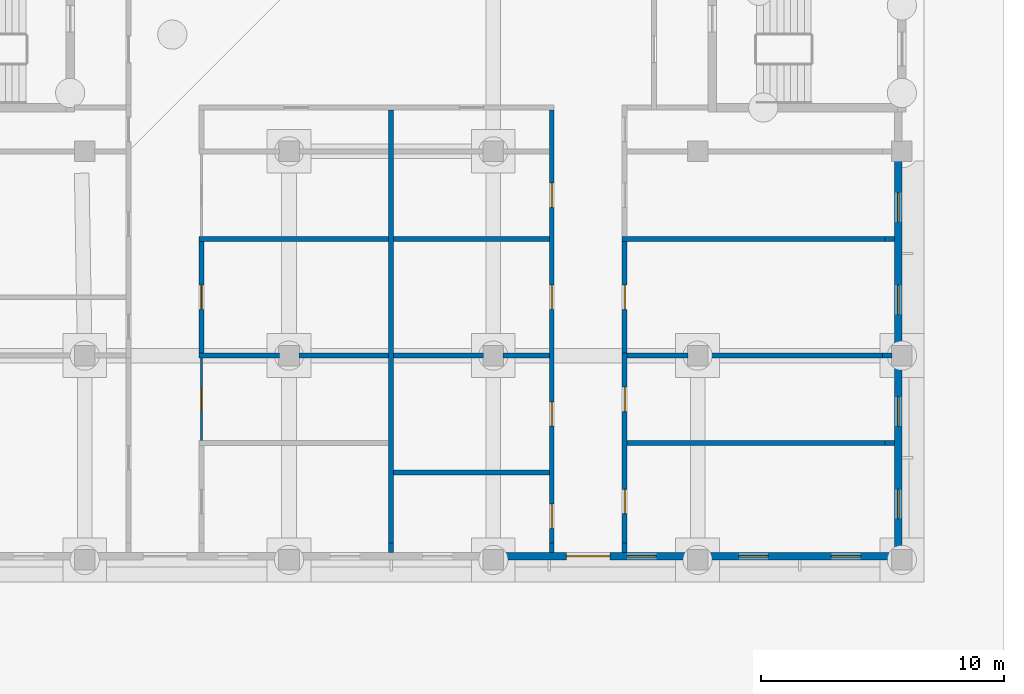
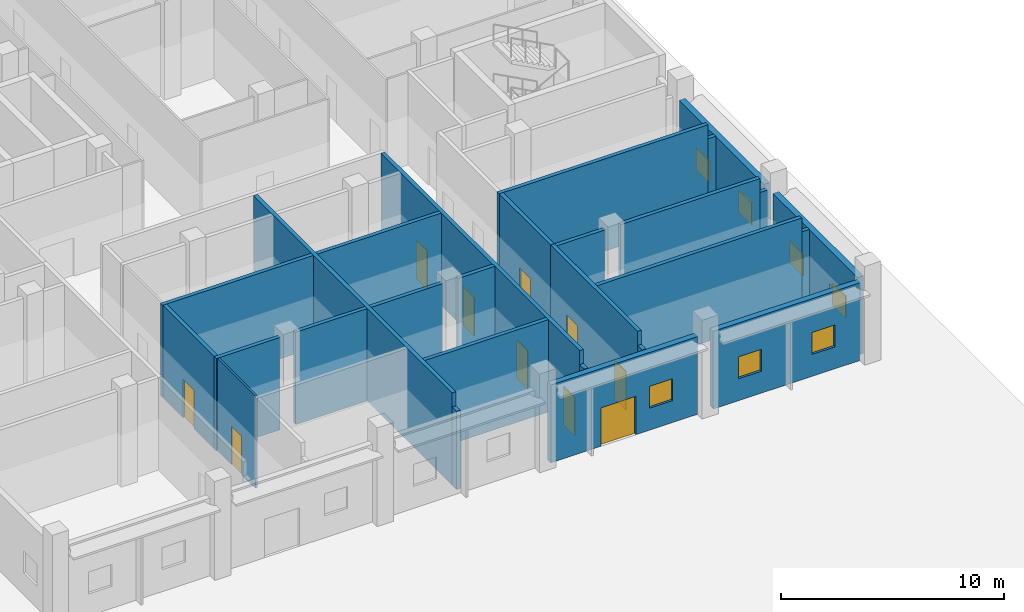
# One storey, part 81 of 146: 27 walls, 10 doors, 7 windows, 17 openings.
"""IFC4 building model written with IfcOpenShell, lengths in metres."""

from ifc_helpers import new_model, si_unit, direction, frame, frame_2d, origin, place, context, subcontext, project, spatial, rectangle, extrude, material, layer, layer_set, type_object, element, fill, save


model = new_model("IFC4")

# Units and contexts
model_context = context("Model", 3, precision=1e-05, world=origin(), true_north=direction((0.0, 1.0)))
body_context = subcontext(model_context, "Body", "Model", "MODEL_VIEW")
ifc_project = project(units=[si_unit("LENGTHUNIT", "METRE"), si_unit("AREAUNIT", "SQUARE_METRE"), si_unit("VOLUMEUNIT", "CUBIC_METRE"), si_unit("PLANEANGLEUNIT", "RADIAN"), si_unit("MASSUNIT", "GRAM", prefix="KILO")], contexts=[model_context])

# Site, building, storey
site_placement = place(None, origin())
site = spatial("IfcSite", under=ifc_project, at=site_placement, CompositionType="ELEMENT")
building_placement = place(site_placement, origin())
building = spatial("IfcBuilding", under=site, at=building_placement, Name="Bougainvillea Quay General Hospital", CompositionType="ELEMENT")
storey_placement = place(building_placement, origin())
storey = spatial("IfcBuildingStorey", under=building, at=storey_placement, Name="L00", CompositionType="ELEMENT", Elevation=0.0)

# Wall, openings, door, window
ifc_material_1 = material(Name="Pale stone rainscreen cladding on insulated masonry backing, pale stone", Category="masonry")
ifc_layer_1 = layer(ifc_material_1, 0.300048828125)
ifc_layer_set_1 = layer_set([ifc_layer_1], Name="Pale stone rainscreen cladding on insulated masonry backing, pale stone")
wall_type_1 = type_object("IfcWallType", Name="External wall pale stone rainscreen 300", PredefinedType="STANDARD", material=ifc_layer_set_1)
wall_1_placement = place(storey_placement, frame((189.39990234375, 75.75, 0.0), z_axis=(0.0, 0.0, 1.0), x_axis=(1.0, 0.0, 0.0)))
wall_1 = element("IfcWall", 1, at=wall_1_placement, inside=storey, type_object=wall_type_1, Name="External wall wall/V3/L00/p0/01d", PredefinedType="STANDARD", context=body_context, shape_type="SweptSolid", body=[
    extrude(rectangle(XDim=7.60009765625, YDim=0.300048828125, at=frame_2d((3.800048828125, 0.0))), origin(), (0.0, 0.0, 1.0), 4.25),
])
opening_1_placement = place(wall_1_placement, frame((2.60009765625, 0.0, 0.0)))
opening_1 = element("IfcOpeningElement", 2, at=opening_1_placement, cuts=wall_1, Name="Opening L00.324", PredefinedType="OPENING", context=body_context, shape_type="SweptSolid", body=[
    extrude(rectangle(XDim=1.800048828125, YDim=2.10009765625, at=frame_2d((0.89990234375, 1.050048828125))), frame((0.0, 0.159912109375, 0.0), z_axis=(0.0, -1.0, 0.0), x_axis=(1.0, 0.0, 0.0)), (0.0, 0.0, 1.0), 0.320068359375),
])
opening_2_placement = place(wall_1_placement, frame((5.10009765625, 0.0, 1.199951171875)))
opening_2 = element("IfcOpeningElement", 3, at=opening_2_placement, cuts=wall_1, Name="Opening W2", PredefinedType="OPENING", context=body_context, shape_type="SweptSolid", body=[
    extrude(rectangle(XDim=1.199951171875, YDim=1.199951171875, at=frame_2d((0.60009765625, 0.60009765625))), frame((0.0, 0.159912109375, 0.0), z_axis=(0.0, -1.0, 0.0), x_axis=(1.0, 0.0, 0.0)), (0.0, 0.0, 1.0), 0.320068359375),
])
ifc_material_2 = material(Name="Steel door set, painted, with vision panels", Category="steel")
door_type_1 = type_object("IfcDoorType", Name="Escape door 1800x2100", OperationType="DOUBLE_DOOR_SINGLE_SWING", PredefinedType="DOOR", material=ifc_material_2)
door_1_placement = place(opening_1_placement, frame((1.800048828125, 0.0, 0.0), z_axis=(0.0, 0.0, 1.0), x_axis=(-1.0, 0.0, 0.0)))
door_1 = element("IfcDoor", 4, at=door_1_placement, inside=storey, type_object=door_type_1, Name="Escape door 12", OperationType="SINGLE_SWING_LEFT", OverallHeight=2.10009765625, OverallWidth=1.800048828125, PredefinedType="DOOR", context=body_context, shape_type="SweptSolid", body=[
    extrude(rectangle(XDim=1.800048828125, YDim=2.10009765625, at=frame_2d((0.89990234375, 1.050048828125))), frame((0.0, 0.02490234375, 0.0), z_axis=(0.0, -1.0, 0.0), x_axis=(1.0, 0.0, 0.0)), (0.0, 0.0, 1.0), 0.050048828125),
])
fill(opening_1, door_1)
ifc_material_3 = material(Name="Aluminium window frame with low-e double glazed unit", Category="aluminium")
window_type = type_object("IfcWindowType", Name="Window W2 1200x1200", PartitioningType="SINGLE_PANEL", PredefinedType="WINDOW", material=ifc_material_3)
window_1_placement = place(opening_2_placement, origin())
window_1 = element("IfcWindow", 5, at=window_1_placement, inside=storey, type_object=window_type, Name="Window W2 2", OverallHeight=1.199951171875, OverallWidth=1.199951171875, PartitioningType="SINGLE_PANEL", PredefinedType="WINDOW", context=body_context, shape_type="SweptSolid", body=[
    extrude(rectangle(XDim=1.199951171875, YDim=1.199951171875, at=frame_2d((0.60009765625, 0.60009765625))), frame((0.0, 0.030029296875, 0.0), z_axis=(0.0, -1.0, 0.0), x_axis=(1.0, 0.0, 0.0)), (0.0, 0.0, 1.0), 0.06005859375),
])
fill(opening_2, window_1)

# Wall, openings, windows
wall_2_placement = place(storey_placement, frame((197.800048828125, 75.75, 0.0), z_axis=(0.0, 0.0, 1.0), x_axis=(1.0, 0.0, 0.0)))
wall_2 = element("IfcWall", 6, at=wall_2_placement, inside=storey, type_object=wall_type_1, Name="External wall wall/V3/L00/p0/01e", PredefinedType="STANDARD", context=body_context, shape_type="SweptSolid", body=[
    extrude(rectangle(XDim=7.599853515625, YDim=0.300048828125, at=frame_2d((3.7998046875, 0.0))), origin(), (0.0, 0.0, 1.0), 4.25),
])
opening_3_placement = place(wall_2_placement, frame((1.300048828125, 0.0, 1.199951171875)))
opening_3 = element("IfcOpeningElement", 7, at=opening_3_placement, cuts=wall_2, Name="Opening W2", PredefinedType="OPENING", context=body_context, shape_type="SweptSolid", body=[
    extrude(rectangle(XDim=1.199951171875, YDim=1.199951171875, at=frame_2d((0.60009765625, 0.60009765625))), frame((0.0, 0.159912109375, 0.0), z_axis=(0.0, -1.0, 0.0), x_axis=(1.0, 0.0, 0.0)), (0.0, 0.0, 1.0), 0.320068359375),
])
opening_4_placement = place(wall_2_placement, frame((5.10009765625, 0.0, 1.199951171875)))
opening_4 = element("IfcOpeningElement", 8, at=opening_4_placement, cuts=wall_2, Name="Opening W2", PredefinedType="OPENING", context=body_context, shape_type="SweptSolid", body=[
    extrude(rectangle(XDim=1.199951171875, YDim=1.199951171875, at=frame_2d((0.60009765625, 0.60009765625))), frame((0.0, 0.159912109375, 0.0), z_axis=(0.0, -1.0, 0.0), x_axis=(1.0, 0.0, 0.0)), (0.0, 0.0, 1.0), 0.320068359375),
])
window_2_placement = place(opening_3_placement, origin())
window_2 = element("IfcWindow", 9, at=window_2_placement, inside=storey, type_object=window_type, Name="Window W2 1", OverallHeight=1.199951171875, OverallWidth=1.199951171875, PartitioningType="SINGLE_PANEL", PredefinedType="WINDOW", context=body_context, shape_type="SweptSolid", body=[
    extrude(rectangle(XDim=1.199951171875, YDim=1.199951171875, at=frame_2d((0.60009765625, 0.60009765625))), frame((0.0, 0.030029296875, 0.0), z_axis=(0.0, -1.0, 0.0), x_axis=(1.0, 0.0, 0.0)), (0.0, 0.0, 1.0), 0.06005859375),
])
fill(opening_3, window_2)
window_3_placement = place(opening_4_placement, origin())
window_3 = element("IfcWindow", 10, at=window_3_placement, inside=storey, type_object=window_type, Name="Window W2 2", OverallHeight=1.199951171875, OverallWidth=1.199951171875, PartitioningType="SINGLE_PANEL", PredefinedType="WINDOW", context=body_context, shape_type="SweptSolid", body=[
    extrude(rectangle(XDim=1.199951171875, YDim=1.199951171875, at=frame_2d((0.60009765625, 0.60009765625))), frame((0.0, 0.030029296875, 0.0), z_axis=(0.0, -1.0, 0.0), x_axis=(1.0, 0.0, 0.0)), (0.0, 0.0, 1.0), 0.06005859375),
])
fill(opening_4, window_3)

wall_3_placement = place(storey_placement, frame((205.64990234375, 76.0, 0.0), z_axis=(0.0, 0.0, 1.0), x_axis=(0.0, 1.0, 0.0)))
wall_3 = element("IfcWall", 11, at=wall_3_placement, inside=storey, type_object=wall_type_1, Name="External wall wall/V3/L00/p0/02a", PredefinedType="STANDARD", context=body_context, shape_type="SweptSolid", body=[
    extrude(rectangle(XDim=7.60009765625, YDim=0.300048828125, at=frame_2d((3.800048828125, 0.0))), origin(), (0.0, 0.0, 1.0), 4.25),
])
opening_5_placement = place(wall_3_placement, frame((1.300048828125, 0.0, 1.199951171875)))
opening_5 = element("IfcOpeningElement", 12, at=opening_5_placement, cuts=wall_3, Name="Opening W2", PredefinedType="OPENING", context=body_context, shape_type="SweptSolid", body=[
    extrude(rectangle(XDim=1.199951171875, YDim=1.199951171875, at=frame_2d((0.60009765625, 0.60009765625))), frame((0.0, 0.159912109375, 0.0), z_axis=(0.0, -1.0, 0.0), x_axis=(1.0, 0.0, 0.0)), (0.0, 0.0, 1.0), 0.320068359375),
])
opening_6_placement = place(wall_3_placement, frame((5.10009765625, 0.0, 1.199951171875)))
opening_6 = element("IfcOpeningElement", 13, at=opening_6_placement, cuts=wall_3, Name="Opening W2", PredefinedType="OPENING", context=body_context, shape_type="SweptSolid", body=[
    extrude(rectangle(XDim=1.199951171875, YDim=1.199951171875, at=frame_2d((0.60009765625, 0.60009765625))), frame((0.0, 0.159912109375, 0.0), z_axis=(0.0, -1.0, 0.0), x_axis=(1.0, 0.0, 0.0)), (0.0, 0.0, 1.0), 0.320068359375),
])
window_4_placement = place(opening_5_placement, origin())
window_4 = element("IfcWindow", 14, at=window_4_placement, inside=storey, type_object=window_type, Name="Window W2 1", OverallHeight=1.199951171875, OverallWidth=1.199951171875, PartitioningType="SINGLE_PANEL", PredefinedType="WINDOW", context=body_context, shape_type="SweptSolid", body=[
    extrude(rectangle(XDim=1.199951171875, YDim=1.199951171875, at=frame_2d((0.60009765625, 0.60009765625))), frame((0.0, 0.030029296875, 0.0), z_axis=(0.0, -1.0, 0.0), x_axis=(1.0, 0.0, 0.0)), (0.0, 0.0, 1.0), 0.06005859375),
])
fill(opening_5, window_4)
window_5_placement = place(opening_6_placement, origin())
window_5 = element("IfcWindow", 15, at=window_5_placement, inside=storey, type_object=window_type, Name="Window W2 2", OverallHeight=1.199951171875, OverallWidth=1.199951171875, PartitioningType="SINGLE_PANEL", PredefinedType="WINDOW", context=body_context, shape_type="SweptSolid", body=[
    extrude(rectangle(XDim=1.199951171875, YDim=1.199951171875, at=frame_2d((0.60009765625, 0.60009765625))), frame((0.0, 0.030029296875, 0.0), z_axis=(0.0, -1.0, 0.0), x_axis=(1.0, 0.0, 0.0)), (0.0, 0.0, 1.0), 0.06005859375),
])
fill(opening_6, window_5)

wall_4_placement = place(storey_placement, frame((205.64990234375, 84.39990234375, 0.0), z_axis=(0.0, 0.0, 1.0), x_axis=(0.0, 1.0, 0.0)))
wall_4 = element("IfcWall", 16, at=wall_4_placement, inside=storey, type_object=wall_type_1, Name="External wall wall/V3/L00/p0/02b", PredefinedType="STANDARD", context=body_context, shape_type="SweptSolid", body=[
    extrude(rectangle(XDim=7.60009765625, YDim=0.300048828125, at=frame_2d((3.800048828125, 0.0))), origin(), (0.0, 0.0, 1.0), 4.25),
])
opening_7_placement = place(wall_4_placement, frame((1.300048828125, 0.0, 1.199951171875)))
opening_7 = element("IfcOpeningElement", 17, at=opening_7_placement, cuts=wall_4, Name="Opening W2", PredefinedType="OPENING", context=body_context, shape_type="SweptSolid", body=[
    extrude(rectangle(XDim=1.199951171875, YDim=1.199951171875, at=frame_2d((0.60009765625, 0.60009765625))), frame((0.0, 0.159912109375, 0.0), z_axis=(0.0, -1.0, 0.0), x_axis=(1.0, 0.0, 0.0)), (0.0, 0.0, 1.0), 0.320068359375),
])
opening_8_placement = place(wall_4_placement, frame((5.10009765625, 0.0, 1.199951171875)))
opening_8 = element("IfcOpeningElement", 18, at=opening_8_placement, cuts=wall_4, Name="Opening W2", PredefinedType="OPENING", context=body_context, shape_type="SweptSolid", body=[
    extrude(rectangle(XDim=1.199951171875, YDim=1.199951171875, at=frame_2d((0.60009765625, 0.60009765625))), frame((0.0, 0.159912109375, 0.0), z_axis=(0.0, -1.0, 0.0), x_axis=(1.0, 0.0, 0.0)), (0.0, 0.0, 1.0), 0.320068359375),
])
window_6_placement = place(opening_7_placement, origin())
window_6 = element("IfcWindow", 19, at=window_6_placement, inside=storey, type_object=window_type, Name="Window W2 1", OverallHeight=1.199951171875, OverallWidth=1.199951171875, PartitioningType="SINGLE_PANEL", PredefinedType="WINDOW", context=body_context, shape_type="SweptSolid", body=[
    extrude(rectangle(XDim=1.199951171875, YDim=1.199951171875, at=frame_2d((0.60009765625, 0.60009765625))), frame((0.0, 0.030029296875, 0.0), z_axis=(0.0, -1.0, 0.0), x_axis=(1.0, 0.0, 0.0)), (0.0, 0.0, 1.0), 0.06005859375),
])
fill(opening_7, window_6)
window_7_placement = place(opening_8_placement, origin())
window_7 = element("IfcWindow", 20, at=window_7_placement, inside=storey, type_object=window_type, Name="Window W2 2", OverallHeight=1.199951171875, OverallWidth=1.199951171875, PartitioningType="SINGLE_PANEL", PredefinedType="WINDOW", context=body_context, shape_type="SweptSolid", body=[
    extrude(rectangle(XDim=1.199951171875, YDim=1.199951171875, at=frame_2d((0.60009765625, 0.60009765625))), frame((0.0, 0.030029296875, 0.0), z_axis=(0.0, -1.0, 0.0), x_axis=(1.0, 0.0, 0.0)), (0.0, 0.0, 1.0), 0.06005859375),
])
fill(opening_8, window_7)

# Wall, opening, door
ifc_material_4 = material(Name="Gypsum board partition on steel studs", Category="steel")
ifc_layer_2 = layer(ifc_material_4, 0.10009765625)
ifc_layer_set_2 = layer_set([ifc_layer_2], Name="Gypsum board partition on steel studs")
wall_type_2 = type_object("IfcWallType", Name="Partition 100 Gypsum board partition", PredefinedType="PARTITIONING", material=ifc_layer_set_2)
wall_5_placement = place(storey_placement, frame((177.0, 80.5, 0.0), z_axis=(0.0, 0.0, 1.0), x_axis=(0.0, 1.0, 0.0)))
wall_5 = element("IfcWall", 21, at=wall_5_placement, inside=storey, type_object=wall_type_2, Name="Partition 100 mm", PredefinedType="PARTITIONING", context=body_context, shape_type="SweptSolid", body=[
    extrude(rectangle(XDim=3.39990234375, YDim=0.10009765625, at=frame_2d((1.699951171875, 0.0))), origin(), (0.0, 0.0, 1.0), 5.050048828125),
])
opening_9_placement = place(wall_5_placement, frame((1.25, 0.0, 0.0)))
opening_9 = element("IfcOpeningElement", 22, at=opening_9_placement, cuts=wall_5, Name="Opening L00.103", PredefinedType="OPENING", context=body_context, shape_type="SweptSolid", body=[
    extrude(rectangle(XDim=0.89990234375, YDim=2.10009765625, at=frame_2d((0.449951171875, 1.050048828125))), frame((0.0, 0.06005859375, 0.0), z_axis=(0.0, -1.0, 0.0), x_axis=(1.0, 0.0, 0.0)), (0.0, 0.0, 1.0), 0.1201171875),
])
ifc_material_5 = material(Name="Solid-core timber door leaf in steel frame", Category="steel")
door_type_2 = type_object("IfcDoorType", Name="Single leaf door 900x2100", OperationType="NOTDEFINED", PredefinedType="DOOR", material=ifc_material_5)
door_2_placement = place(opening_9_placement, frame((0.89990234375, 0.0, 0.0), z_axis=(0.0, 0.0, 1.0), x_axis=(-1.0, 0.0, 0.0)))
door_2 = element("IfcDoor", 23, at=door_2_placement, inside=storey, type_object=door_type_2, Name="DT07 L00.103", OperationType="SINGLE_SWING_LEFT", OverallHeight=2.10009765625, OverallWidth=0.89990234375, PredefinedType="DOOR", context=body_context, shape_type="SweptSolid", body=[
    extrude(rectangle(XDim=0.89990234375, YDim=2.10009765625, at=frame_2d((0.449951171875, 1.050048828125))), frame((0.0, 0.02490234375, 0.0), z_axis=(0.0, -1.0, 0.0), x_axis=(1.0, 0.0, 0.0)), (0.0, 0.0, 1.0), 0.050048828125),
])
fill(opening_9, door_2)

# Walls
ifc_material_6 = material(Name="Fire-rated autoclaved aerated block wall, plastered")
ifc_layer_3 = layer(ifc_material_6, 0.199951171875)
ifc_layer_set_3 = layer_set([ifc_layer_3], Name="Fire-rated autoclaved aerated block wall, plastered")
wall_type_3 = type_object("IfcWallType", Name="Partition 200 Fire-rated autoclaved aerated block wall EI 120", PredefinedType="SOLIDWALL", material=ifc_layer_set_3)
wall_6_placement = place(storey_placement, frame((194.5, 84.0, 0.0), z_axis=(0.0, 0.0, 1.0), x_axis=(1.0, 0.0, 0.0)))
element("IfcWall", 24, at=wall_6_placement, inside=storey, type_object=wall_type_3, Name="Partition 200 mm EI 120", PredefinedType="SOLIDWALL", context=body_context, shape_type="SweptSolid", body=[
    extrude(rectangle(XDim=2.5, YDim=0.199951171875, at=frame_2d((1.25, 0.0))), origin(), (0.0, 0.0, 1.0), 5.050048828125),
])
wall_7_placement = place(storey_placement, frame((197.800048828125, 84.0, 0.0), z_axis=(0.0, 0.0, 1.0), x_axis=(1.0, 0.0, 0.0)))
element("IfcWall", 25, at=wall_7_placement, inside=storey, type_object=wall_type_3, Name="Partition 200 mm EI 120", PredefinedType="SOLIDWALL", context=body_context, shape_type="SweptSolid", body=[
    extrude(rectangle(XDim=7.199951171875, YDim=0.199951171875, at=frame_2d((3.60009765625, 0.0))), origin(), (0.0, 0.0, 1.0), 5.050048828125),
])
wall_8_placement = place(storey_placement, frame((205.0, 84.0, 0.0), z_axis=(0.0, 0.0, 1.0), x_axis=(1.0, 0.0, 0.0)))
element("IfcWall", 26, at=wall_8_placement, inside=storey, type_object=wall_type_3, Name="Partition 200 mm EI 120", PredefinedType="SOLIDWALL", context=body_context, shape_type="SweptSolid", body=[
    extrude(rectangle(XDim=0.39990234375, YDim=0.199951171875, at=frame_2d((0.199951171875, 0.0))), origin(), (0.0, 0.0, 1.0), 4.280029296875),
])
wall_9_placement = place(storey_placement, frame((194.300048828125, 88.800048828125, 0.0), z_axis=(0.0, 0.0, 1.0), x_axis=(1.0, 0.0, 0.0)))
element("IfcWall", 27, at=wall_9_placement, inside=storey, type_object=wall_type_3, Name="Partition 200 mm EI 120", PredefinedType="SOLIDWALL", context=body_context, shape_type="SweptSolid", body=[
    extrude(rectangle(XDim=10.800048828125, YDim=0.199951171875, at=frame_2d((5.39990234375, 0.0))), origin(), (0.0, 0.0, 1.0), 5.050048828125),
])
wall_10_placement = place(storey_placement, frame((205.10009765625, 88.800048828125, 0.0), z_axis=(0.0, 0.0, 1.0), x_axis=(1.0, 0.0, 0.0)))
element("IfcWall", 28, at=wall_10_placement, inside=storey, type_object=wall_type_3, Name="Partition 200 mm EI 120", PredefinedType="SOLIDWALL", context=body_context, shape_type="SweptSolid", body=[
    extrude(rectangle(XDim=0.39990234375, YDim=0.199951171875, at=frame_2d((0.199951171875, 0.0))), origin(), (0.0, 0.0, 1.0), 4.280029296875),
])

# Wall, opening, door
wall_11_placement = place(storey_placement, frame((194.39990234375, 84.10009765625, 0.0), z_axis=(0.0, 0.0, 1.0), x_axis=(0.0, 1.0, 0.0)))
wall_11 = element("IfcWall", 29, at=wall_11_placement, inside=storey, type_object=wall_type_3, Name="Partition 200 mm EI 120", PredefinedType="SOLIDWALL", context=body_context, shape_type="SweptSolid", body=[
    extrude(rectangle(XDim=4.599853515625, YDim=0.199951171875, at=frame_2d((2.2998046875, 0.0))), origin(), (0.0, 0.0, 1.0), 5.050048828125),
])
opening_10_placement = place(wall_11_placement, frame((1.800048828125, 0.0, 0.0)))
opening_10 = element("IfcOpeningElement", 30, at=opening_10_placement, cuts=wall_11, Name="Opening L00.112", PredefinedType="OPENING", context=body_context, shape_type="SweptSolid", body=[
    extrude(rectangle(XDim=1.0, YDim=2.10009765625, at=frame_2d((0.5, 1.050048828125))), frame((0.0, 0.10986328125, 0.0), z_axis=(0.0, -1.0, 0.0), x_axis=(1.0, 0.0, 0.0)), (0.0, 0.0, 1.0), 0.219970703125),
])
ifc_material_7 = material(Name="Steel fire door leaf in steel frame", Category="steel")
door_type_3 = type_object("IfcDoorType", Name="Steel single leaf door 1000x2100 FD90", OperationType="NOTDEFINED", PredefinedType="DOOR", material=ifc_material_7)
door_3_placement = place(opening_10_placement, frame((1.0, 0.0, 0.0), z_axis=(0.0, 0.0, 1.0), x_axis=(-1.0, 0.0, 0.0)))
door_3 = element("IfcDoor", 31, at=door_3_placement, inside=storey, type_object=door_type_3, Name="DT11 L00.112", OperationType="SINGLE_SWING_RIGHT", OverallHeight=2.10009765625, OverallWidth=1.0, PredefinedType="DOOR", context=body_context, shape_type="SweptSolid", body=[
    extrude(rectangle(XDim=1.0, YDim=2.10009765625, at=frame_2d((0.5, 1.050048828125))), frame((0.0, 0.02490234375, 0.0), z_axis=(0.0, -1.0, 0.0), x_axis=(1.0, 0.0, 0.0)), (0.0, 0.0, 1.0), 0.050048828125),
])
fill(opening_10, door_3)

# Walls
ifc_layer_4 = layer(ifc_material_6, 0.199951171875)
ifc_layer_set_4 = layer_set([ifc_layer_4], Name="Fire-rated autoclaved aerated block wall, plastered")
wall_type_4 = type_object("IfcWallType", Name="Partition 200 Fire-rated autoclaved aerated block wall EI 60", PredefinedType="SOLIDWALL", material=ifc_layer_set_4)
wall_12_placement = place(storey_placement, frame((184.800048828125, 94.10009765625, 0.0), z_axis=(0.0, 0.0, 1.0), x_axis=(0.0, -1.0, 0.0)))
element("IfcWall", 32, at=wall_12_placement, inside=storey, type_object=wall_type_4, Name="Partition 200 mm EI 60", PredefinedType="SOLIDWALL", context=body_context, shape_type="SweptSolid", body=[
    extrude(rectangle(XDim=17.800048828125, YDim=0.199951171875, at=frame_2d((8.89990234375, 0.0))), origin(), (0.0, 0.0, 1.0), 5.050048828125),
])
wall_13_placement = place(storey_placement, frame((184.800048828125, 76.300048828125, 0.0), z_axis=(0.0, 0.0, 1.0), x_axis=(0.0, -1.0, 0.0)))
element("IfcWall", 33, at=wall_13_placement, inside=storey, type_object=wall_type_4, Name="Partition 200 mm EI 60", PredefinedType="SOLIDWALL", context=body_context, shape_type="SweptSolid", body=[
    extrude(rectangle(XDim=0.400146484375, YDim=0.199951171875, at=frame_2d((0.2001953125, 0.0))), origin(), (0.0, 0.0, 1.0), 4.280029296875),
])

# Wall, openings, doors
wall_14_placement = place(storey_placement, frame((191.39990234375, 94.10009765625, 0.0), z_axis=(0.0, 0.0, 1.0), x_axis=(0.0, -1.0, 0.0)))
wall_14 = element("IfcWall", 34, at=wall_14_placement, inside=storey, type_object=wall_type_4, Name="Partition 200 mm EI 60", PredefinedType="SOLIDWALL", context=body_context, shape_type="SweptSolid", body=[
    extrude(rectangle(XDim=17.800048828125, YDim=0.199951171875, at=frame_2d((8.89990234375, 0.0))), origin(), (0.0, 0.0, 1.0), 5.050048828125),
])
opening_11_placement = place(wall_14_placement, frame((3.0, 0.0, 0.0)))
opening_11 = element("IfcOpeningElement", 35, at=opening_11_placement, cuts=wall_14, Name="Opening L00.106", PredefinedType="OPENING", context=body_context, shape_type="SweptSolid", body=[
    extrude(rectangle(XDim=1.0, YDim=2.10009765625, at=frame_2d((0.5, 1.050048828125))), frame((0.0, 0.10986328125, 0.0), z_axis=(0.0, -1.0, 0.0), x_axis=(1.0, 0.0, 0.0)), (0.0, 0.0, 1.0), 0.219970703125),
])
opening_12_placement = place(wall_14_placement, frame((7.199951171875, 0.0, 0.0)))
opening_12 = element("IfcOpeningElement", 36, at=opening_12_placement, cuts=wall_14, Name="Opening L00.107", PredefinedType="OPENING", context=body_context, shape_type="SweptSolid", body=[
    extrude(rectangle(XDim=1.0, YDim=2.10009765625, at=frame_2d((0.5, 1.050048828125))), frame((0.0, 0.10986328125, 0.0), z_axis=(0.0, -1.0, 0.0), x_axis=(1.0, 0.0, 0.0)), (0.0, 0.0, 1.0), 0.219970703125),
])
opening_13_placement = place(wall_14_placement, frame((12.0, 0.0, 0.0)))
opening_13 = element("IfcOpeningElement", 37, at=opening_13_placement, cuts=wall_14, Name="Opening L00.108", PredefinedType="OPENING", context=body_context, shape_type="SweptSolid", body=[
    extrude(rectangle(XDim=1.0, YDim=2.10009765625, at=frame_2d((0.5, 1.050048828125))), frame((0.0, 0.10986328125, 0.0), z_axis=(0.0, -1.0, 0.0), x_axis=(1.0, 0.0, 0.0)), (0.0, 0.0, 1.0), 0.219970703125),
])
opening_14_placement = place(wall_14_placement, frame((16.199951171875, 0.0, 0.0)))
opening_14 = element("IfcOpeningElement", 38, at=opening_14_placement, cuts=wall_14, Name="Opening L00.109", PredefinedType="OPENING", context=body_context, shape_type="SweptSolid", body=[
    extrude(rectangle(XDim=1.0, YDim=2.10009765625, at=frame_2d((0.5, 1.050048828125))), frame((0.0, 0.10986328125, 0.0), z_axis=(0.0, -1.0, 0.0), x_axis=(1.0, 0.0, 0.0)), (0.0, 0.0, 1.0), 0.219970703125),
])
door_type_4 = type_object("IfcDoorType", Name="Steel single leaf door 1000x2100 FD60", OperationType="NOTDEFINED", PredefinedType="DOOR", material=ifc_material_7)
door_4_placement = place(opening_11_placement, frame((1.0, 0.0, 0.0), z_axis=(0.0, 0.0, 1.0), x_axis=(-1.0, 0.0, 0.0)))
door_4 = element("IfcDoor", 39, at=door_4_placement, inside=storey, type_object=door_type_4, Name="DT10 L00.106", OperationType="SINGLE_SWING_RIGHT", OverallHeight=2.10009765625, OverallWidth=1.0, PredefinedType="DOOR", context=body_context, shape_type="SweptSolid", body=[
    extrude(rectangle(XDim=1.0, YDim=2.10009765625, at=frame_2d((0.5, 1.050048828125))), frame((0.0, 0.02490234375, 0.0), z_axis=(0.0, -1.0, 0.0), x_axis=(1.0, 0.0, 0.0)), (0.0, 0.0, 1.0), 0.050048828125),
])
fill(opening_11, door_4)
door_5_placement = place(opening_12_placement, frame((1.0, 0.0, 0.0), z_axis=(0.0, 0.0, 1.0), x_axis=(-1.0, 0.0, 0.0)))
door_5 = element("IfcDoor", 40, at=door_5_placement, inside=storey, type_object=door_type_4, Name="DT10 L00.107", OperationType="SINGLE_SWING_RIGHT", OverallHeight=2.10009765625, OverallWidth=1.0, PredefinedType="DOOR", context=body_context, shape_type="SweptSolid", body=[
    extrude(rectangle(XDim=1.0, YDim=2.10009765625, at=frame_2d((0.5, 1.050048828125))), frame((0.0, 0.02490234375, 0.0), z_axis=(0.0, -1.0, 0.0), x_axis=(1.0, 0.0, 0.0)), (0.0, 0.0, 1.0), 0.050048828125),
])
fill(opening_12, door_5)
door_6_placement = place(opening_13_placement, frame((1.0, 0.0, 0.0), z_axis=(0.0, 0.0, 1.0), x_axis=(-1.0, 0.0, 0.0)))
door_6 = element("IfcDoor", 41, at=door_6_placement, inside=storey, type_object=door_type_4, Name="DT10 L00.108", OperationType="SINGLE_SWING_LEFT", OverallHeight=2.10009765625, OverallWidth=1.0, PredefinedType="DOOR", context=body_context, shape_type="SweptSolid", body=[
    extrude(rectangle(XDim=1.0, YDim=2.10009765625, at=frame_2d((0.5, 1.050048828125))), frame((0.0, 0.02490234375, 0.0), z_axis=(0.0, -1.0, 0.0), x_axis=(1.0, 0.0, 0.0)), (0.0, 0.0, 1.0), 0.050048828125),
])
fill(opening_13, door_6)
door_7_placement = place(opening_14_placement, frame((1.0, 0.0, 0.0), z_axis=(0.0, 0.0, 1.0), x_axis=(-1.0, 0.0, 0.0)))
door_7 = element("IfcDoor", 42, at=door_7_placement, inside=storey, type_object=door_type_4, Name="DT10 L00.109", OperationType="SINGLE_SWING_LEFT", OverallHeight=2.10009765625, OverallWidth=1.0, PredefinedType="DOOR", context=body_context, shape_type="SweptSolid", body=[
    extrude(rectangle(XDim=1.0, YDim=2.10009765625, at=frame_2d((0.5, 1.050048828125))), frame((0.0, 0.02490234375, 0.0), z_axis=(0.0, -1.0, 0.0), x_axis=(1.0, 0.0, 0.0)), (0.0, 0.0, 1.0), 0.050048828125),
])
fill(opening_14, door_7)

# Walls
wall_15_placement = place(storey_placement, frame((191.39990234375, 76.300048828125, 0.0), z_axis=(0.0, 0.0, 1.0), x_axis=(0.0, -1.0, 0.0)))
element("IfcWall", 43, at=wall_15_placement, inside=storey, type_object=wall_type_4, Name="Partition 200 mm EI 60", PredefinedType="SOLIDWALL", context=body_context, shape_type="SweptSolid", body=[
    extrude(rectangle(XDim=0.400146484375, YDim=0.199951171875, at=frame_2d((0.2001953125, 0.0))), origin(), (0.0, 0.0, 1.0), 4.280029296875),
])
wall_16_placement = place(storey_placement, frame((176.89990234375, 84.0, 0.0), z_axis=(0.0, 0.0, 1.0), x_axis=(1.0, 0.0, 0.0)))
element("IfcWall", 44, at=wall_16_placement, inside=storey, type_object=wall_type_4, Name="Partition 200 mm EI 60", PredefinedType="SOLIDWALL", context=body_context, shape_type="SweptSolid", body=[
    extrude(rectangle(XDim=3.300048828125, YDim=0.199951171875, at=frame_2d((1.64990234375, 0.0))), origin(), (0.0, 0.0, 1.0), 5.050048828125),
])
wall_17_placement = place(storey_placement, frame((181.0, 84.0, 0.0), z_axis=(0.0, 0.0, 1.0), x_axis=(1.0, 0.0, 0.0)))
element("IfcWall", 45, at=wall_17_placement, inside=storey, type_object=wall_type_4, Name="Partition 200 mm EI 60", PredefinedType="SOLIDWALL", context=body_context, shape_type="SweptSolid", body=[
    extrude(rectangle(XDim=3.699951171875, YDim=0.199951171875, at=frame_2d((1.85009765625, 0.0))), origin(), (0.0, 0.0, 1.0), 5.050048828125),
])
wall_18_placement = place(storey_placement, frame((184.89990234375, 84.0, 0.0), z_axis=(0.0, 0.0, 1.0), x_axis=(1.0, 0.0, 0.0)))
element("IfcWall", 46, at=wall_18_placement, inside=storey, type_object=wall_type_4, Name="Partition 200 mm EI 60", PredefinedType="SOLIDWALL", context=body_context, shape_type="SweptSolid", body=[
    extrude(rectangle(XDim=3.7001953125, YDim=0.199951171875, at=frame_2d((1.85009765625, 0.0))), origin(), (0.0, 0.0, 1.0), 5.050048828125),
])
wall_19_placement = place(storey_placement, frame((189.39990234375, 84.0, 0.0), z_axis=(0.0, 0.0, 1.0), x_axis=(1.0, 0.0, 0.0)))
element("IfcWall", 47, at=wall_19_placement, inside=storey, type_object=wall_type_4, Name="Partition 200 mm EI 60", PredefinedType="SOLIDWALL", context=body_context, shape_type="SweptSolid", body=[
    extrude(rectangle(XDim=1.900146484375, YDim=0.199951171875, at=frame_2d((0.9501953125, 0.0))), origin(), (0.0, 0.0, 1.0), 5.050048828125),
])
wall_20_placement = place(storey_placement, frame((176.89990234375, 88.800048828125, 0.0), z_axis=(0.0, 0.0, 1.0), x_axis=(1.0, 0.0, 0.0)))
element("IfcWall", 48, at=wall_20_placement, inside=storey, type_object=wall_type_4, Name="Partition 200 mm EI 60", PredefinedType="SOLIDWALL", context=body_context, shape_type="SweptSolid", body=[
    extrude(rectangle(XDim=7.800048828125, YDim=0.199951171875, at=frame_2d((3.89990234375, 0.0))), origin(), (0.0, 0.0, 1.0), 5.050048828125),
])
wall_21_placement = place(storey_placement, frame((184.89990234375, 88.800048828125, 0.0), z_axis=(0.0, 0.0, 1.0), x_axis=(1.0, 0.0, 0.0)))
element("IfcWall", 49, at=wall_21_placement, inside=storey, type_object=wall_type_4, Name="Partition 200 mm EI 60", PredefinedType="SOLIDWALL", context=body_context, shape_type="SweptSolid", body=[
    extrude(rectangle(XDim=6.400146484375, YDim=0.199951171875, at=frame_2d((3.2001953125, 0.0))), origin(), (0.0, 0.0, 1.0), 5.050048828125),
])
wall_22_placement = place(storey_placement, frame((194.39990234375, 75.89990234375, 0.0), z_axis=(0.0, 0.0, 1.0), x_axis=(0.0, 1.0, 0.0)))
element("IfcWall", 50, at=wall_22_placement, inside=storey, type_object=wall_type_4, Name="Partition 200 mm EI 60", PredefinedType="SOLIDWALL", context=body_context, shape_type="SweptSolid", body=[
    extrude(rectangle(XDim=0.400146484375, YDim=0.199951171875, at=frame_2d((0.2001953125, 0.0))), origin(), (0.0, 0.0, 1.0), 4.280029296875),
])

# Wall, openings, doors
wall_23_placement = place(storey_placement, frame((194.39990234375, 76.300048828125, 0.0), z_axis=(0.0, 0.0, 1.0), x_axis=(0.0, 1.0, 0.0)))
wall_23 = element("IfcWall", 51, at=wall_23_placement, inside=storey, type_object=wall_type_4, Name="Partition 200 mm EI 60", PredefinedType="SOLIDWALL", context=body_context, shape_type="SweptSolid", body=[
    extrude(rectangle(XDim=7.800048828125, YDim=0.199951171875, at=frame_2d((3.89990234375, 0.0))), origin(), (0.0, 0.0, 1.0), 5.050048828125),
])
opening_15_placement = place(wall_23_placement, frame((5.39990234375, 0.0, 0.0)))
opening_15 = element("IfcOpeningElement", 52, at=opening_15_placement, cuts=wall_23, Name="Opening L00.113", PredefinedType="OPENING", context=body_context, shape_type="SweptSolid", body=[
    extrude(rectangle(XDim=1.0, YDim=2.10009765625, at=frame_2d((0.5, 1.050048828125))), frame((0.0, 0.10986328125, 0.0), z_axis=(0.0, -1.0, 0.0), x_axis=(1.0, 0.0, 0.0)), (0.0, 0.0, 1.0), 0.219970703125),
])
opening_16_placement = place(wall_23_placement, frame((1.199951171875, 0.0, 0.0)))
opening_16 = element("IfcOpeningElement", 53, at=opening_16_placement, cuts=wall_23, Name="Opening L00.114", PredefinedType="OPENING", context=body_context, shape_type="SweptSolid", body=[
    extrude(rectangle(XDim=1.0, YDim=2.10009765625, at=frame_2d((0.5, 1.050048828125))), frame((0.0, 0.10986328125, 0.0), z_axis=(0.0, -1.0, 0.0), x_axis=(1.0, 0.0, 0.0)), (0.0, 0.0, 1.0), 0.219970703125),
])
door_8_placement = place(opening_15_placement, frame((1.0, 0.0, 0.0), z_axis=(0.0, 0.0, 1.0), x_axis=(-1.0, 0.0, 0.0)))
door_8 = element("IfcDoor", 54, at=door_8_placement, inside=storey, type_object=door_type_4, Name="DT10 L00.113", OperationType="SINGLE_SWING_LEFT", OverallHeight=2.10009765625, OverallWidth=1.0, PredefinedType="DOOR", context=body_context, shape_type="SweptSolid", body=[
    extrude(rectangle(XDim=1.0, YDim=2.10009765625, at=frame_2d((0.5, 1.050048828125))), frame((0.0, 0.02490234375, 0.0), z_axis=(0.0, -1.0, 0.0), x_axis=(1.0, 0.0, 0.0)), (0.0, 0.0, 1.0), 0.050048828125),
])
fill(opening_15, door_8)
door_9_placement = place(opening_16_placement, frame((1.0, 0.0, 0.0), z_axis=(0.0, 0.0, 1.0), x_axis=(-1.0, 0.0, 0.0)))
door_9 = element("IfcDoor", 55, at=door_9_placement, inside=storey, type_object=door_type_4, Name="DT10 L00.114", OperationType="SINGLE_SWING_RIGHT", OverallHeight=2.10009765625, OverallWidth=1.0, PredefinedType="DOOR", context=body_context, shape_type="SweptSolid", body=[
    extrude(rectangle(XDim=1.0, YDim=2.10009765625, at=frame_2d((0.5, 1.050048828125))), frame((0.0, 0.02490234375, 0.0), z_axis=(0.0, -1.0, 0.0), x_axis=(1.0, 0.0, 0.0)), (0.0, 0.0, 1.0), 0.050048828125),
])
fill(opening_16, door_9)

# Walls
wall_24_placement = place(storey_placement, frame((194.5, 80.39990234375, 0.0), z_axis=(0.0, 0.0, 1.0), x_axis=(1.0, 0.0, 0.0)))
element("IfcWall", 56, at=wall_24_placement, inside=storey, type_object=wall_type_4, Name="Partition 200 mm EI 60", PredefinedType="SOLIDWALL", context=body_context, shape_type="SweptSolid", body=[
    extrude(rectangle(XDim=10.60009765625, YDim=0.199951171875, at=frame_2d((5.300048828125, 0.0))), origin(), (0.0, 0.0, 1.0), 5.050048828125),
])
wall_25_placement = place(storey_placement, frame((205.10009765625, 80.39990234375, 0.0), z_axis=(0.0, 0.0, 1.0), x_axis=(1.0, 0.0, 0.0)))
element("IfcWall", 57, at=wall_25_placement, inside=storey, type_object=wall_type_4, Name="Partition 200 mm EI 60", PredefinedType="SOLIDWALL", context=body_context, shape_type="SweptSolid", body=[
    extrude(rectangle(XDim=0.39990234375, YDim=0.199951171875, at=frame_2d((0.199951171875, 0.0))), origin(), (0.0, 0.0, 1.0), 4.280029296875),
])
wall_26_placement = place(storey_placement, frame((184.89990234375, 79.199951171875, 0.0), z_axis=(0.0, 0.0, 1.0), x_axis=(1.0, 0.0, 0.0)))
element("IfcWall", 58, at=wall_26_placement, inside=storey, type_object=wall_type_4, Name="Partition 200 mm EI 60", PredefinedType="SOLIDWALL", context=body_context, shape_type="SweptSolid", body=[
    extrude(rectangle(XDim=6.400146484375, YDim=0.199951171875, at=frame_2d((3.2001953125, 0.0))), origin(), (0.0, 0.0, 1.0), 5.050048828125),
])

# Wall, opening, door
wall_27_placement = place(storey_placement, frame((177.0, 84.10009765625, 0.0), z_axis=(0.0, 0.0, 1.0), x_axis=(0.0, 1.0, 0.0)))
wall_27 = element("IfcWall", 59, at=wall_27_placement, inside=storey, type_object=wall_type_4, Name="Partition 200 mm EI 60", PredefinedType="SOLIDWALL", context=body_context, shape_type="SweptSolid", body=[
    extrude(rectangle(XDim=4.599853515625, YDim=0.199951171875, at=frame_2d((2.2998046875, 0.0))), origin(), (0.0, 0.0, 1.0), 5.050048828125),
])
opening_17_placement = place(wall_27_placement, frame((1.800048828125, 0.0, 0.0)))
opening_17 = element("IfcOpeningElement", 60, at=opening_17_placement, cuts=wall_27, Name="Opening L00.102", PredefinedType="OPENING", context=body_context, shape_type="SweptSolid", body=[
    extrude(rectangle(XDim=1.0, YDim=2.10009765625, at=frame_2d((0.5, 1.050048828125))), frame((0.0, 0.10986328125, 0.0), z_axis=(0.0, -1.0, 0.0), x_axis=(1.0, 0.0, 0.0)), (0.0, 0.0, 1.0), 0.219970703125),
])
door_10_placement = place(opening_17_placement, frame((1.0, 0.0, 0.0), z_axis=(0.0, 0.0, 1.0), x_axis=(-1.0, 0.0, 0.0)))
door_10 = element("IfcDoor", 61, at=door_10_placement, inside=storey, type_object=door_type_4, Name="DT10 L00.102", OperationType="SINGLE_SWING_RIGHT", OverallHeight=2.10009765625, OverallWidth=1.0, PredefinedType="DOOR", context=body_context, shape_type="SweptSolid", body=[
    extrude(rectangle(XDim=1.0, YDim=2.10009765625, at=frame_2d((0.5, 1.050048828125))), frame((0.0, 0.02490234375, 0.0), z_axis=(0.0, -1.0, 0.0), x_axis=(1.0, 0.0, 0.0)), (0.0, 0.0, 1.0), 0.050048828125),
])
fill(opening_17, door_10)

save(model, "model.ifc")
